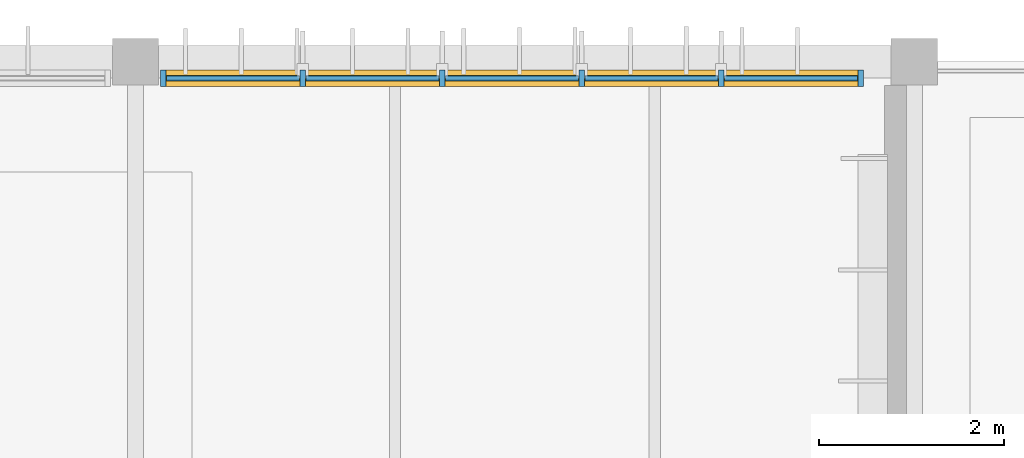
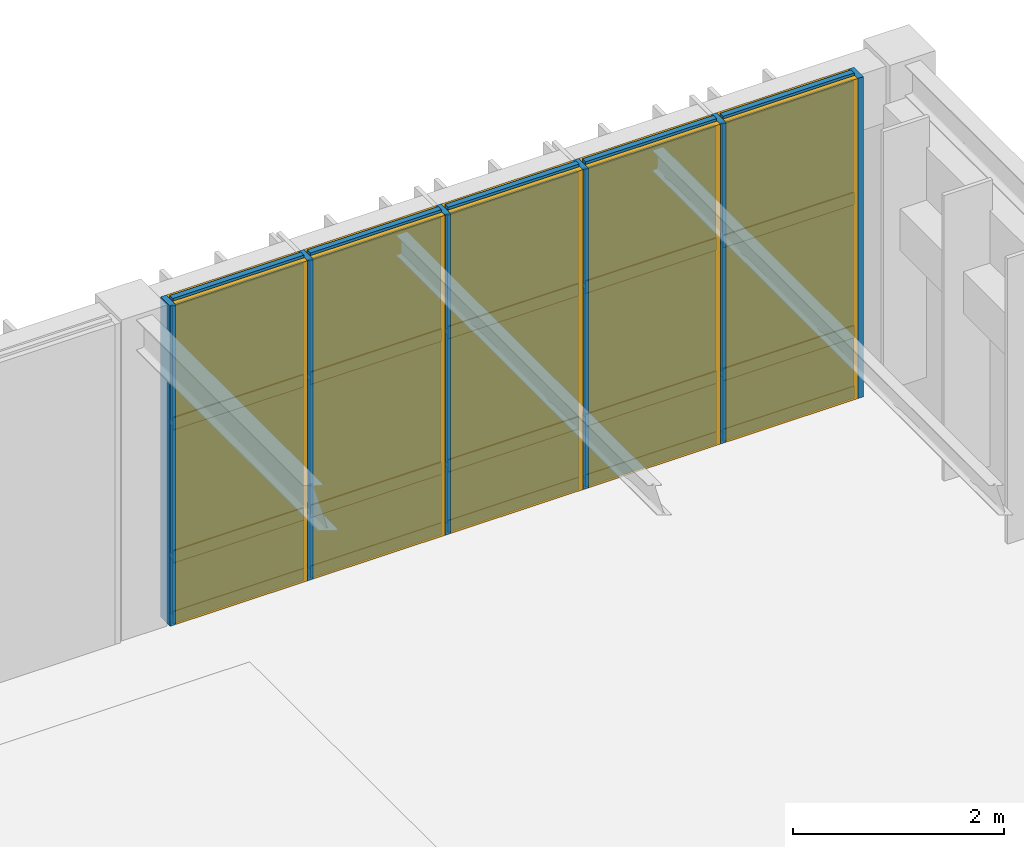
# One storey, part 37 of 44: 26 members, 15 plates, 1 curtain wall.
"""IFC4 building model written with IfcOpenShell, lengths in metres."""

from ifc_helpers import new_model, si_unit, direction, frame, frame_2d, origin, origin_2d, place, context, subcontext, project, spatial, rectangle, extrude, material, layer, layer_set, material_profile, profile_set, type_object, element, aggregate, save


model = new_model("IFC4")

# Units and contexts
model_context = context("Model", 3, precision=1e-05, world=origin(), true_north=direction((0.0, 1.0)))
body_context = subcontext(model_context, "Body", "Model", "MODEL_VIEW")
ifc_project = project(units=[si_unit("LENGTHUNIT", "METRE"), si_unit("AREAUNIT", "SQUARE_METRE"), si_unit("VOLUMEUNIT", "CUBIC_METRE"), si_unit("PLANEANGLEUNIT", "RADIAN"), si_unit("MASSUNIT", "GRAM", prefix="KILO")], contexts=[model_context])

# Member
ifc_material_1 = material(Name="Anodised Bronze Aluminium 6063-T6", Category="aluminium")
ifc_material_profile_1 = material_profile(ifc_material_1, rectangle(XDim=0.06005859375, YDim=0.179931640625, at=origin_2d()), Name="ALU MULLION 60x180")
ifc_profile_set_1 = profile_set([ifc_material_profile_1], Name="Anodised Bronze Aluminium 6063-T6")
member_type_1 = type_object("IfcMemberType", Name="Curtain-Wall Primary Mullion 60x180", PredefinedType="MULLION", material=ifc_profile_set_1)
site_placement = place(None, origin())
building_placement = place(site_placement, origin())
storey_placement = place(building_placement, frame((0.0, 0.0, 13.199951171875)))
member_1_placement = place(storey_placement, frame((134.10009765625, 111.6201171875, 0.0), z_axis=(0.0, 0.0, 1.0), x_axis=(1.0, 0.0, 0.0)))
member_1 = element("IfcMember", 1, at=member_1_placement, type_object=member_type_1, Name="Mullion CWM-01 CW-V3-N3-L03-B2-M01", PredefinedType="MULLION", context=body_context, shape_type="SweptSolid", body=[
    extrude(rectangle(XDim=0.06005859375, YDim=0.179931640625, at=origin_2d()), origin(), (0.0, 0.0, 1.0), 3.699951171875),
])

member_2_placement = place(storey_placement, frame((135.60400390625, 111.6201171875, 0.0), z_axis=(0.0, 0.0, 1.0), x_axis=(1.0, 0.0, 0.0)))
member_2 = element("IfcMember", 2, at=member_2_placement, type_object=member_type_1, Name="Mullion CWM-01 CW-V3-N3-L03-B2-M02", PredefinedType="MULLION", context=body_context, shape_type="SweptSolid", body=[
    extrude(rectangle(XDim=0.06005859375, YDim=0.179931640625, at=origin_2d()), origin(), (0.0, 0.0, 1.0), 3.699951171875),
])

member_3_placement = place(storey_placement, frame((137.10791015625, 111.6201171875, 0.0), z_axis=(0.0, 0.0, 1.0), x_axis=(1.0, 0.0, 0.0)))
member_3 = element("IfcMember", 3, at=member_3_placement, type_object=member_type_1, Name="Mullion CWM-01 CW-V3-N3-L03-B2-M03", PredefinedType="MULLION", context=body_context, shape_type="SweptSolid", body=[
    extrude(rectangle(XDim=0.06005859375, YDim=0.179931640625, at=origin_2d()), origin(), (0.0, 0.0, 1.0), 3.699951171875),
])

member_4_placement = place(storey_placement, frame((138.612060546875, 111.6201171875, 0.0), z_axis=(0.0, 0.0, 1.0), x_axis=(1.0, 0.0, 0.0)))
member_4 = element("IfcMember", 4, at=member_4_placement, type_object=member_type_1, Name="Mullion CWM-01 CW-V3-N3-L03-B2-M04", PredefinedType="MULLION", context=body_context, shape_type="SweptSolid", body=[
    extrude(rectangle(XDim=0.06005859375, YDim=0.179931640625, at=origin_2d()), origin(), (0.0, 0.0, 1.0), 3.699951171875),
])

member_5_placement = place(storey_placement, frame((140.115966796875, 111.6201171875, 0.0), z_axis=(0.0, 0.0, 1.0), x_axis=(1.0, 0.0, 0.0)))
member_5 = element("IfcMember", 5, at=member_5_placement, type_object=member_type_1, Name="Mullion CWM-01 CW-V3-N3-L03-B2-M05", PredefinedType="MULLION", context=body_context, shape_type="SweptSolid", body=[
    extrude(rectangle(XDim=0.06005859375, YDim=0.179931640625, at=origin_2d()), origin(), (0.0, 0.0, 1.0), 3.699951171875),
])

member_6_placement = place(storey_placement, frame((141.6201171875, 111.6201171875, 0.0), z_axis=(0.0, 0.0, 1.0), x_axis=(1.0, 0.0, 0.0)))
member_6 = element("IfcMember", 6, at=member_6_placement, type_object=member_type_1, Name="Mullion CWM-01 CW-V3-N3-L03-B2-M06", PredefinedType="MULLION", context=body_context, shape_type="SweptSolid", body=[
    extrude(rectangle(XDim=0.06005859375, YDim=0.179931640625, at=origin_2d()), origin(), (0.0, 0.0, 1.0), 3.699951171875),
])

ifc_material_profile_2 = material_profile(ifc_material_1, rectangle(XDim=0.06005859375, YDim=0.139892578125, at=origin_2d()), Name="ALU TRANSOM 60x140")
ifc_profile_set_2 = profile_set([ifc_material_profile_2], Name="Anodised Bronze Aluminium 6063-T6")
member_type_2 = type_object("IfcMemberType", Name="Curtain-Wall Transom 60x140", PredefinedType="USERDEFINED", material=ifc_profile_set_2)
member_7_placement = place(storey_placement, frame((134.135009765625, 111.6201171875, 0.0400390625), z_axis=(1.0, 0.0, 0.0), x_axis=(0.0, 1.0, 0.0)))
member_7 = element("IfcMember", 7, at=member_7_placement, type_object=member_type_2, Name="Transom CWT-01 CW-V3-N3-L03-B2-T01.1", ObjectType="TRANSOM", PredefinedType="USERDEFINED", context=body_context, shape_type="SweptSolid", body=[
    extrude(rectangle(XDim=0.06005859375, YDim=0.139892578125, at=origin_2d()), origin(), (0.0, 0.0, 1.0), 1.43408203125),
])

member_8_placement = place(storey_placement, frame((134.135009765625, 111.6201171875, 0.739990234375), z_axis=(1.0, 0.0, 0.0), x_axis=(0.0, 1.0, 0.0)))
member_8 = element("IfcMember", 8, at=member_8_placement, type_object=member_type_2, Name="Transom CWT-01 CW-V3-N3-L03-B2-T01.2", ObjectType="TRANSOM", PredefinedType="USERDEFINED", context=body_context, shape_type="SweptSolid", body=[
    extrude(rectangle(XDim=0.06005859375, YDim=0.139892578125, at=origin_2d()), origin(), (0.0, 0.0, 1.0), 1.43408203125),
])

member_9_placement = place(storey_placement, frame((134.135009765625, 111.6201171875, 2.279296875), z_axis=(1.0, 0.0, 0.0), x_axis=(0.0, 1.0, 0.0)))
member_9 = element("IfcMember", 9, at=member_9_placement, type_object=member_type_2, Name="Transom CWT-01 CW-V3-N3-L03-B2-T01.3", ObjectType="TRANSOM", PredefinedType="USERDEFINED", context=body_context, shape_type="SweptSolid", body=[
    extrude(rectangle(XDim=0.06005859375, YDim=0.139892578125, at=origin_2d()), origin(), (0.0, 0.0, 1.0), 1.43408203125),
])

member_10_placement = place(storey_placement, frame((134.135009765625, 111.6201171875, 3.66015625), z_axis=(1.0, 0.0, 0.0), x_axis=(0.0, 1.0, 0.0)))
member_10 = element("IfcMember", 10, at=member_10_placement, type_object=member_type_2, Name="Transom CWT-01 CW-V3-N3-L03-B2-T01.4", ObjectType="TRANSOM", PredefinedType="USERDEFINED", context=body_context, shape_type="SweptSolid", body=[
    extrude(rectangle(XDim=0.06005859375, YDim=0.139892578125, at=origin_2d()), origin(), (0.0, 0.0, 1.0), 1.43408203125),
])

member_11_placement = place(storey_placement, frame((135.638916015625, 111.6201171875, 0.0400390625), z_axis=(1.0, 0.0, 0.0), x_axis=(0.0, 1.0, 0.0)))
member_11 = element("IfcMember", 11, at=member_11_placement, type_object=member_type_2, Name="Transom CWT-01 CW-V3-N3-L03-B2-T02.1", ObjectType="TRANSOM", PredefinedType="USERDEFINED", context=body_context, shape_type="SweptSolid", body=[
    extrude(rectangle(XDim=0.06005859375, YDim=0.139892578125, at=origin_2d()), origin(), (0.0, 0.0, 1.0), 1.43408203125),
])

member_12_placement = place(storey_placement, frame((135.638916015625, 111.6201171875, 0.739990234375), z_axis=(1.0, 0.0, 0.0), x_axis=(0.0, 1.0, 0.0)))
member_12 = element("IfcMember", 12, at=member_12_placement, type_object=member_type_2, Name="Transom CWT-01 CW-V3-N3-L03-B2-T02.2", ObjectType="TRANSOM", PredefinedType="USERDEFINED", context=body_context, shape_type="SweptSolid", body=[
    extrude(rectangle(XDim=0.06005859375, YDim=0.139892578125, at=origin_2d()), origin(), (0.0, 0.0, 1.0), 1.43408203125),
])

member_13_placement = place(storey_placement, frame((135.638916015625, 111.6201171875, 2.279296875), z_axis=(1.0, 0.0, 0.0), x_axis=(0.0, 1.0, 0.0)))
member_13 = element("IfcMember", 13, at=member_13_placement, type_object=member_type_2, Name="Transom CWT-01 CW-V3-N3-L03-B2-T02.3", ObjectType="TRANSOM", PredefinedType="USERDEFINED", context=body_context, shape_type="SweptSolid", body=[
    extrude(rectangle(XDim=0.06005859375, YDim=0.139892578125, at=origin_2d()), origin(), (0.0, 0.0, 1.0), 1.43408203125),
])

member_14_placement = place(storey_placement, frame((135.638916015625, 111.6201171875, 3.66015625), z_axis=(1.0, 0.0, 0.0), x_axis=(0.0, 1.0, 0.0)))
member_14 = element("IfcMember", 14, at=member_14_placement, type_object=member_type_2, Name="Transom CWT-01 CW-V3-N3-L03-B2-T02.4", ObjectType="TRANSOM", PredefinedType="USERDEFINED", context=body_context, shape_type="SweptSolid", body=[
    extrude(rectangle(XDim=0.06005859375, YDim=0.139892578125, at=origin_2d()), origin(), (0.0, 0.0, 1.0), 1.43408203125),
])

member_15_placement = place(storey_placement, frame((137.14306640625, 111.6201171875, 0.0400390625), z_axis=(1.0, 0.0, 0.0), x_axis=(0.0, 1.0, 0.0)))
member_15 = element("IfcMember", 15, at=member_15_placement, type_object=member_type_2, Name="Transom CWT-01 CW-V3-N3-L03-B2-T03.1", ObjectType="TRANSOM", PredefinedType="USERDEFINED", context=body_context, shape_type="SweptSolid", body=[
    extrude(rectangle(XDim=0.06005859375, YDim=0.139892578125, at=origin_2d()), origin(), (0.0, 0.0, 1.0), 1.433837890625),
])

member_16_placement = place(storey_placement, frame((137.14306640625, 111.6201171875, 0.739990234375), z_axis=(1.0, 0.0, 0.0), x_axis=(0.0, 1.0, 0.0)))
member_16 = element("IfcMember", 16, at=member_16_placement, type_object=member_type_2, Name="Transom CWT-01 CW-V3-N3-L03-B2-T03.2", ObjectType="TRANSOM", PredefinedType="USERDEFINED", context=body_context, shape_type="SweptSolid", body=[
    extrude(rectangle(XDim=0.06005859375, YDim=0.139892578125, at=origin_2d()), origin(), (0.0, 0.0, 1.0), 1.433837890625),
])

member_17_placement = place(storey_placement, frame((137.14306640625, 111.6201171875, 2.279296875), z_axis=(1.0, 0.0, 0.0), x_axis=(0.0, 1.0, 0.0)))
member_17 = element("IfcMember", 17, at=member_17_placement, type_object=member_type_2, Name="Transom CWT-01 CW-V3-N3-L03-B2-T03.3", ObjectType="TRANSOM", PredefinedType="USERDEFINED", context=body_context, shape_type="SweptSolid", body=[
    extrude(rectangle(XDim=0.06005859375, YDim=0.139892578125, at=origin_2d()), origin(), (0.0, 0.0, 1.0), 1.433837890625),
])

member_18_placement = place(storey_placement, frame((137.14306640625, 111.6201171875, 3.66015625), z_axis=(1.0, 0.0, 0.0), x_axis=(0.0, 1.0, 0.0)))
member_18 = element("IfcMember", 18, at=member_18_placement, type_object=member_type_2, Name="Transom CWT-01 CW-V3-N3-L03-B2-T03.4", ObjectType="TRANSOM", PredefinedType="USERDEFINED", context=body_context, shape_type="SweptSolid", body=[
    extrude(rectangle(XDim=0.06005859375, YDim=0.139892578125, at=origin_2d()), origin(), (0.0, 0.0, 1.0), 1.433837890625),
])

member_19_placement = place(storey_placement, frame((138.64697265625, 111.6201171875, 0.0400390625), z_axis=(1.0, 0.0, 0.0), x_axis=(0.0, 1.0, 0.0)))
member_19 = element("IfcMember", 19, at=member_19_placement, type_object=member_type_2, Name="Transom CWT-01 CW-V3-N3-L03-B2-T04.1", ObjectType="TRANSOM", PredefinedType="USERDEFINED", context=body_context, shape_type="SweptSolid", body=[
    extrude(rectangle(XDim=0.06005859375, YDim=0.139892578125, at=origin_2d()), origin(), (0.0, 0.0, 1.0), 1.43408203125),
])

member_20_placement = place(storey_placement, frame((138.64697265625, 111.6201171875, 0.739990234375), z_axis=(1.0, 0.0, 0.0), x_axis=(0.0, 1.0, 0.0)))
member_20 = element("IfcMember", 20, at=member_20_placement, type_object=member_type_2, Name="Transom CWT-01 CW-V3-N3-L03-B2-T04.2", ObjectType="TRANSOM", PredefinedType="USERDEFINED", context=body_context, shape_type="SweptSolid", body=[
    extrude(rectangle(XDim=0.06005859375, YDim=0.139892578125, at=origin_2d()), origin(), (0.0, 0.0, 1.0), 1.43408203125),
])

member_21_placement = place(storey_placement, frame((138.64697265625, 111.6201171875, 2.279296875), z_axis=(1.0, 0.0, 0.0), x_axis=(0.0, 1.0, 0.0)))
member_21 = element("IfcMember", 21, at=member_21_placement, type_object=member_type_2, Name="Transom CWT-01 CW-V3-N3-L03-B2-T04.3", ObjectType="TRANSOM", PredefinedType="USERDEFINED", context=body_context, shape_type="SweptSolid", body=[
    extrude(rectangle(XDim=0.06005859375, YDim=0.139892578125, at=origin_2d()), origin(), (0.0, 0.0, 1.0), 1.43408203125),
])

member_22_placement = place(storey_placement, frame((138.64697265625, 111.6201171875, 3.66015625), z_axis=(1.0, 0.0, 0.0), x_axis=(0.0, 1.0, 0.0)))
member_22 = element("IfcMember", 22, at=member_22_placement, type_object=member_type_2, Name="Transom CWT-01 CW-V3-N3-L03-B2-T04.4", ObjectType="TRANSOM", PredefinedType="USERDEFINED", context=body_context, shape_type="SweptSolid", body=[
    extrude(rectangle(XDim=0.06005859375, YDim=0.139892578125, at=origin_2d()), origin(), (0.0, 0.0, 1.0), 1.43408203125),
])

member_23_placement = place(storey_placement, frame((140.15087890625, 111.6201171875, 0.0400390625), z_axis=(1.0, 0.0, 0.0), x_axis=(0.0, 1.0, 0.0)))
member_23 = element("IfcMember", 23, at=member_23_placement, type_object=member_type_2, Name="Transom CWT-01 CW-V3-N3-L03-B2-T05.1", ObjectType="TRANSOM", PredefinedType="USERDEFINED", context=body_context, shape_type="SweptSolid", body=[
    extrude(rectangle(XDim=0.06005859375, YDim=0.139892578125, at=origin_2d()), origin(), (0.0, 0.0, 1.0), 1.43408203125),
])

member_24_placement = place(storey_placement, frame((140.15087890625, 111.6201171875, 0.739990234375), z_axis=(1.0, 0.0, 0.0), x_axis=(0.0, 1.0, 0.0)))
member_24 = element("IfcMember", 24, at=member_24_placement, type_object=member_type_2, Name="Transom CWT-01 CW-V3-N3-L03-B2-T05.2", ObjectType="TRANSOM", PredefinedType="USERDEFINED", context=body_context, shape_type="SweptSolid", body=[
    extrude(rectangle(XDim=0.06005859375, YDim=0.139892578125, at=origin_2d()), origin(), (0.0, 0.0, 1.0), 1.43408203125),
])

member_25_placement = place(storey_placement, frame((140.15087890625, 111.6201171875, 2.279296875), z_axis=(1.0, 0.0, 0.0), x_axis=(0.0, 1.0, 0.0)))
member_25 = element("IfcMember", 25, at=member_25_placement, type_object=member_type_2, Name="Transom CWT-01 CW-V3-N3-L03-B2-T05.3", ObjectType="TRANSOM", PredefinedType="USERDEFINED", context=body_context, shape_type="SweptSolid", body=[
    extrude(rectangle(XDim=0.06005859375, YDim=0.139892578125, at=origin_2d()), origin(), (0.0, 0.0, 1.0), 1.43408203125),
])

member_26_placement = place(storey_placement, frame((140.15087890625, 111.6201171875, 3.66015625), z_axis=(1.0, 0.0, 0.0), x_axis=(0.0, 1.0, 0.0)))
member_26 = element("IfcMember", 26, at=member_26_placement, type_object=member_type_2, Name="Transom CWT-01 CW-V3-N3-L03-B2-T05.4", ObjectType="TRANSOM", PredefinedType="USERDEFINED", context=body_context, shape_type="SweptSolid", body=[
    extrude(rectangle(XDim=0.06005859375, YDim=0.139892578125, at=origin_2d()), origin(), (0.0, 0.0, 1.0), 1.43408203125),
])

# Plate
ifc_material_2 = material(Name="Insulated Bronze Aluminium Spandrel Panel", Category="aluminium")
ifc_layer_1 = layer(ifc_material_2, 0.050048828125, Name="Insulated Bronze Aluminium Spandrel Panel")
ifc_layer_set_1 = layer_set([ifc_layer_1], Name="Insulated Bronze Aluminium Spandrel Panel")
plate_type_1 = type_object("IfcPlateType", Name="Insulated Anodised Aluminium Spandrel Cassette 50", PredefinedType="CURTAIN_PANEL", material=ifc_layer_set_1)
plate_1_placement = place(storey_placement, frame((134.85205078125, 111.6201171875, 0.0703125), z_axis=(0.0, 0.0, 1.0), x_axis=(1.0, 0.0, 0.0)))
plate_1 = element("IfcPlate", 27, at=plate_1_placement, type_object=plate_type_1, Name="Curtain Panel CWP-03 CW-V3-N3-L03-B2-P01.1", PredefinedType="CURTAIN_PANEL", context=body_context, shape_type="SweptSolid", body=[
    extrude(rectangle(XDim=1.43408203125, YDim=0.050048828125, at=origin_2d()), origin(), (0.0, 0.0, 1.0), 0.639892578125),
])

plate_2_placement = place(storey_placement, frame((136.35595703125, 111.6201171875, 0.0703125), z_axis=(0.0, 0.0, 1.0), x_axis=(1.0, 0.0, 0.0)))
plate_2 = element("IfcPlate", 28, at=plate_2_placement, type_object=plate_type_1, Name="Curtain Panel CWP-03 CW-V3-N3-L03-B2-P02.1", PredefinedType="CURTAIN_PANEL", context=body_context, shape_type="SweptSolid", body=[
    extrude(rectangle(XDim=1.43408203125, YDim=0.050048828125, at=origin_2d()), origin(), (0.0, 0.0, 1.0), 0.639892578125),
])

plate_3_placement = place(storey_placement, frame((137.860107421875, 111.6201171875, 0.0703125), z_axis=(0.0, 0.0, 1.0), x_axis=(1.0, 0.0, 0.0)))
plate_3 = element("IfcPlate", 29, at=plate_3_placement, type_object=plate_type_1, Name="Curtain Panel CWP-03 CW-V3-N3-L03-B2-P03.1", PredefinedType="CURTAIN_PANEL", context=body_context, shape_type="SweptSolid", body=[
    extrude(rectangle(XDim=1.43408203125, YDim=0.050048828125, at=origin_2d()), origin(), (0.0, 0.0, 1.0), 0.639892578125),
])

plate_4_placement = place(storey_placement, frame((139.364013671875, 111.6201171875, 0.0703125), z_axis=(0.0, 0.0, 1.0), x_axis=(1.0, 0.0, 0.0)))
plate_4 = element("IfcPlate", 30, at=plate_4_placement, type_object=plate_type_1, Name="Curtain Panel CWP-03 CW-V3-N3-L03-B2-P04.1", PredefinedType="CURTAIN_PANEL", context=body_context, shape_type="SweptSolid", body=[
    extrude(rectangle(XDim=1.43408203125, YDim=0.050048828125, at=origin_2d()), origin(), (0.0, 0.0, 1.0), 0.639892578125),
])

plate_5_placement = place(storey_placement, frame((140.867919921875, 111.6201171875, 0.0703125), z_axis=(0.0, 0.0, 1.0), x_axis=(1.0, 0.0, 0.0)))
plate_5 = element("IfcPlate", 31, at=plate_5_placement, type_object=plate_type_1, Name="Curtain Panel CWP-03 CW-V3-N3-L03-B2-P05.1", PredefinedType="CURTAIN_PANEL", context=body_context, shape_type="SweptSolid", body=[
    extrude(rectangle(XDim=1.43408203125, YDim=0.050048828125, at=origin_2d()), origin(), (0.0, 0.0, 1.0), 0.639892578125),
])

ifc_material_3 = material(Name="Solar-Control Tempered Double Glazing", Category="glass")
ifc_layer_2 = layer(ifc_material_3, 0.0380859375, Name="Solar-Control Tempered Double Glazing")
ifc_layer_set_2 = layer_set([ifc_layer_2], Name="Solar-Control Tempered Double Glazing")
plate_type_2 = type_object("IfcPlateType", Name="Solar-Control Vision Glazing Unit 38", PredefinedType="CURTAIN_PANEL", material=ifc_layer_set_2)
plate_6_placement = place(storey_placement, frame((134.85205078125, 111.6201171875, 0.77001953125), z_axis=(0.0, 0.0, 1.0), x_axis=(1.0, 0.0, 0.0)))
plate_6 = element("IfcPlate", 32, at=plate_6_placement, type_object=plate_type_2, Name="Curtain Panel CWP-02 CW-V3-N3-L03-B2-P01.2", PredefinedType="CURTAIN_PANEL", context=body_context, shape_type="SweptSolid", body=[
    extrude(rectangle(XDim=1.43408203125, YDim=0.0380859375, at=origin_2d()), origin(), (0.0, 0.0, 1.0), 1.479248046875),
])

plate_7_placement = place(storey_placement, frame((134.85205078125, 111.6201171875, 2.309326171875), z_axis=(0.0, 0.0, 1.0), x_axis=(1.0, 0.0, 0.0)))
plate_7 = element("IfcPlate", 33, at=plate_7_placement, type_object=plate_type_2, Name="Curtain Panel CWP-02 CW-V3-N3-L03-B2-P01.3", PredefinedType="CURTAIN_PANEL", context=body_context, shape_type="SweptSolid", body=[
    extrude(rectangle(XDim=1.43408203125, YDim=0.0380859375, at=origin_2d()), origin(), (0.0, 0.0, 1.0), 1.32080078125),
])

plate_8_placement = place(storey_placement, frame((136.35595703125, 111.6201171875, 0.77001953125), z_axis=(0.0, 0.0, 1.0), x_axis=(1.0, 0.0, 0.0)))
plate_8 = element("IfcPlate", 34, at=plate_8_placement, type_object=plate_type_2, Name="Curtain Panel CWP-02 CW-V3-N3-L03-B2-P02.2", PredefinedType="CURTAIN_PANEL", context=body_context, shape_type="SweptSolid", body=[
    extrude(rectangle(XDim=1.43408203125, YDim=0.0380859375, at=origin_2d()), origin(), (0.0, 0.0, 1.0), 1.479248046875),
])

plate_9_placement = place(storey_placement, frame((136.35595703125, 111.6201171875, 2.309326171875), z_axis=(0.0, 0.0, 1.0), x_axis=(1.0, 0.0, 0.0)))
plate_9 = element("IfcPlate", 35, at=plate_9_placement, type_object=plate_type_2, Name="Curtain Panel CWP-02 CW-V3-N3-L03-B2-P02.3", PredefinedType="CURTAIN_PANEL", context=body_context, shape_type="SweptSolid", body=[
    extrude(rectangle(XDim=1.43408203125, YDim=0.0380859375, at=origin_2d()), origin(), (0.0, 0.0, 1.0), 1.32080078125),
])

plate_10_placement = place(storey_placement, frame((137.860107421875, 111.6201171875, 0.77001953125), z_axis=(0.0, 0.0, 1.0), x_axis=(1.0, 0.0, 0.0)))
plate_10 = element("IfcPlate", 36, at=plate_10_placement, type_object=plate_type_2, Name="Curtain Panel CWP-02 CW-V3-N3-L03-B2-P03.2", PredefinedType="CURTAIN_PANEL", context=body_context, shape_type="SweptSolid", body=[
    extrude(rectangle(XDim=1.43408203125, YDim=0.0380859375, at=origin_2d()), origin(), (0.0, 0.0, 1.0), 1.479248046875),
])

plate_11_placement = place(storey_placement, frame((137.860107421875, 111.6201171875, 2.309326171875), z_axis=(0.0, 0.0, 1.0), x_axis=(1.0, 0.0, 0.0)))
plate_11 = element("IfcPlate", 37, at=plate_11_placement, type_object=plate_type_2, Name="Curtain Panel CWP-02 CW-V3-N3-L03-B2-P03.3", PredefinedType="CURTAIN_PANEL", context=body_context, shape_type="SweptSolid", body=[
    extrude(rectangle(XDim=1.43408203125, YDim=0.0380859375, at=origin_2d()), origin(), (0.0, 0.0, 1.0), 1.32080078125),
])

plate_12_placement = place(storey_placement, frame((139.364013671875, 111.6201171875, 0.77001953125), z_axis=(0.0, 0.0, 1.0), x_axis=(1.0, 0.0, 0.0)))
plate_12 = element("IfcPlate", 38, at=plate_12_placement, type_object=plate_type_2, Name="Curtain Panel CWP-02 CW-V3-N3-L03-B2-P04.2", PredefinedType="CURTAIN_PANEL", context=body_context, shape_type="SweptSolid", body=[
    extrude(rectangle(XDim=1.43408203125, YDim=0.0380859375, at=origin_2d()), origin(), (0.0, 0.0, 1.0), 1.479248046875),
])

plate_13_placement = place(storey_placement, frame((139.364013671875, 111.6201171875, 2.309326171875), z_axis=(0.0, 0.0, 1.0), x_axis=(1.0, 0.0, 0.0)))
plate_13 = element("IfcPlate", 39, at=plate_13_placement, type_object=plate_type_2, Name="Curtain Panel CWP-02 CW-V3-N3-L03-B2-P04.3", PredefinedType="CURTAIN_PANEL", context=body_context, shape_type="SweptSolid", body=[
    extrude(rectangle(XDim=1.43408203125, YDim=0.0380859375, at=origin_2d()), origin(), (0.0, 0.0, 1.0), 1.32080078125),
])

plate_14_placement = place(storey_placement, frame((140.867919921875, 111.6201171875, 0.77001953125), z_axis=(0.0, 0.0, 1.0), x_axis=(1.0, 0.0, 0.0)))
plate_14 = element("IfcPlate", 40, at=plate_14_placement, type_object=plate_type_2, Name="Curtain Panel CWP-02 CW-V3-N3-L03-B2-P05.2", PredefinedType="CURTAIN_PANEL", context=body_context, shape_type="SweptSolid", body=[
    extrude(rectangle(XDim=1.43408203125, YDim=0.0380859375, at=origin_2d()), origin(), (0.0, 0.0, 1.0), 1.479248046875),
])

plate_15_placement = place(storey_placement, frame((140.867919921875, 111.6201171875, 2.309326171875), z_axis=(0.0, 0.0, 1.0), x_axis=(1.0, 0.0, 0.0)))
plate_15 = element("IfcPlate", 41, at=plate_15_placement, type_object=plate_type_2, Name="Curtain Panel CWP-02 CW-V3-N3-L03-B2-P05.3", PredefinedType="CURTAIN_PANEL", context=body_context, shape_type="SweptSolid", body=[
    extrude(rectangle(XDim=1.43408203125, YDim=0.0380859375, at=origin_2d()), origin(), (0.0, 0.0, 1.0), 1.32080078125),
])

# Site, building, storey
site = spatial("IfcSite", under=ifc_project, at=site_placement, CompositionType="ELEMENT")
building = spatial("IfcBuilding", under=site, at=building_placement, Name="Tazoul Stagehouse", CompositionType="ELEMENT")
storey = spatial("IfcBuildingStorey", under=building, at=storey_placement, Name="L03", CompositionType="ELEMENT", Elevation=13.199951171875)

# Curtain wall
curtain_wall_type = type_object("IfcCurtainWallType", Name="Rehearsal North Daylight Curtain Wall", PredefinedType="NOTDEFINED", material=ifc_material_1)
curtain_wall_placement = place(storey_placement, frame((134.10009765625, 111.6201171875, 0.0), z_axis=(0.0, 0.0, 1.0), x_axis=(1.0, 0.0, 0.0)))
curtain_wall = element("IfcCurtainWall", 42, at=curtain_wall_placement, inside=storey, type_object=curtain_wall_type, Name="L03 Curtain Wall CW-04 (CW-V3-N3-L03-B2)", PredefinedType="NOTDEFINED", context=body_context, shape_type="SweptSolid", body=[
    extrude(rectangle(XDim=7.52001953125, YDim=0.179931640625, at=frame_2d((3.760009765625, 0.0))), origin(), (0.0, 0.0, 1.0), 3.699951171875),
])

aggregate(curtain_wall, [member_1, member_2, member_3, member_4, member_5, member_6, member_7, member_8, member_9, member_10, plate_1, plate_6, plate_7, member_11, member_12, member_13, member_14, plate_2, plate_8, plate_9, member_15, member_16, member_17, member_18, plate_3, plate_10, plate_11, member_19, member_20, member_21, member_22, plate_4, plate_12, plate_13, member_23, member_24, member_25, member_26, plate_5, plate_14, plate_15])

save(model, "model.ifc")
